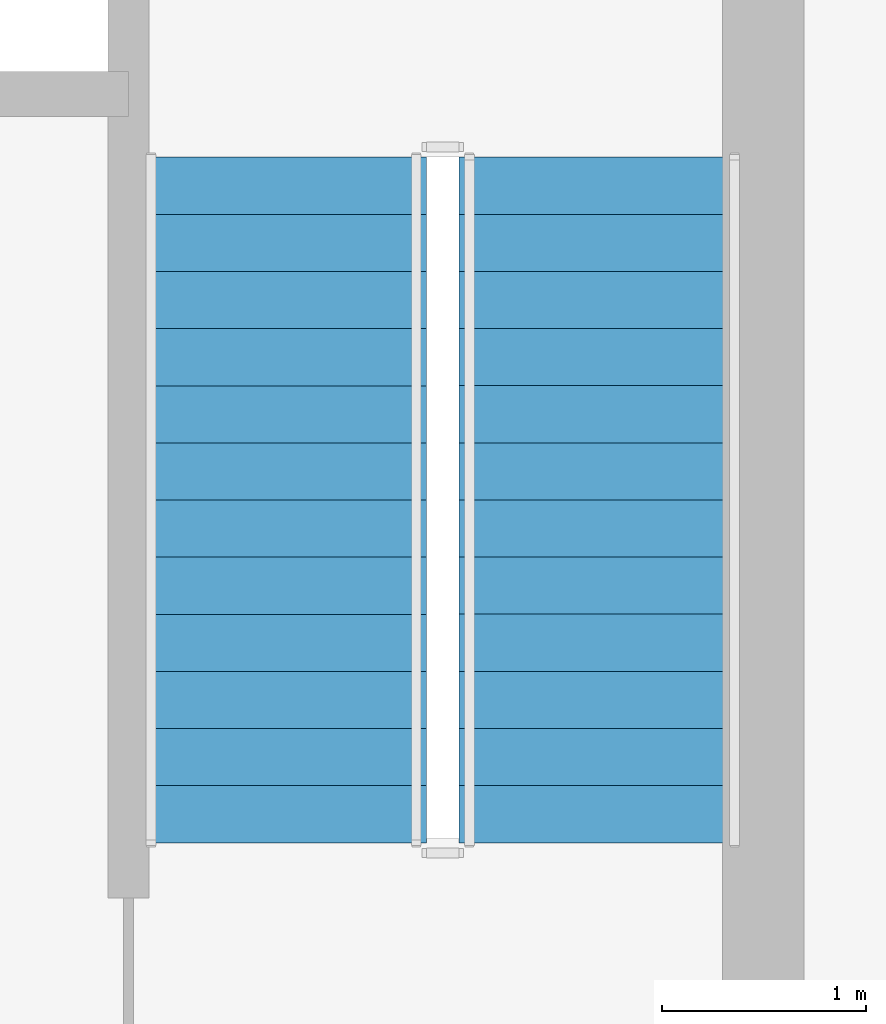
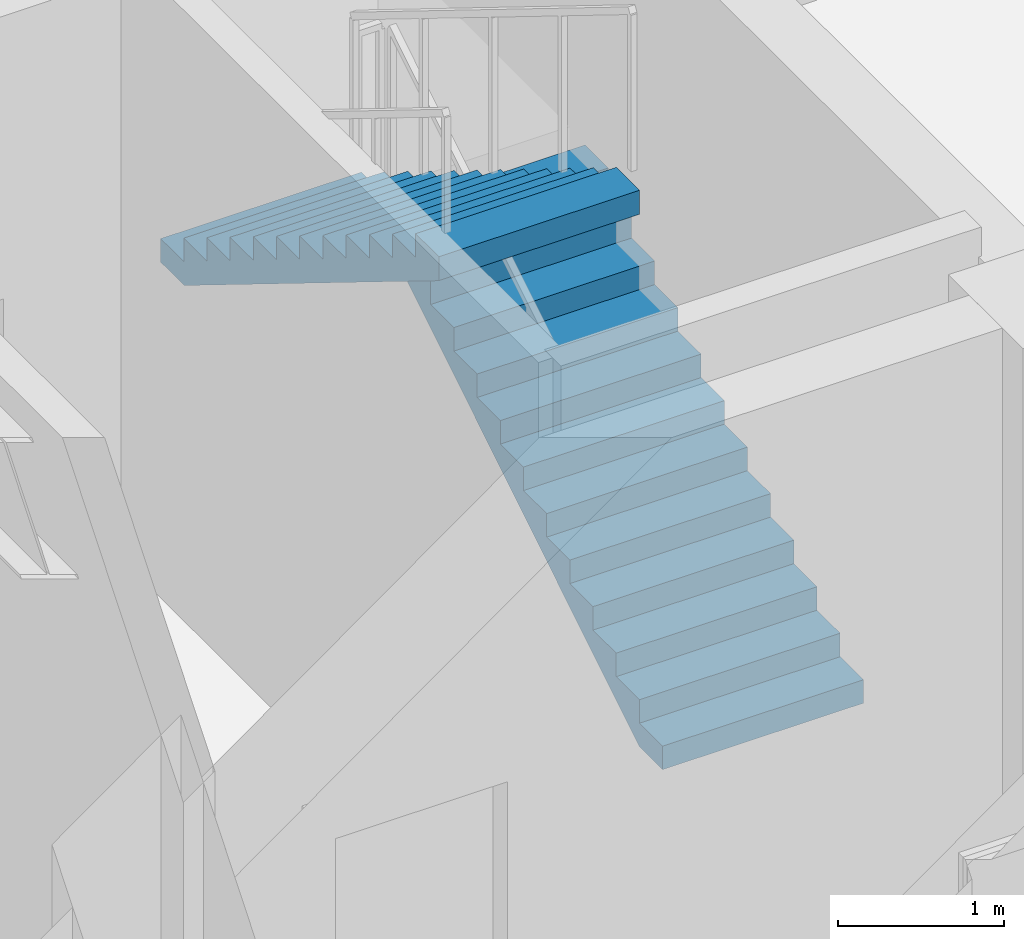
# One storey, part 5 of 8: 2 stair flights, 1 element without a shape of its own.
"""IFC4 building model written with IfcOpenShell, lengths in metres."""

from ifc_helpers import new_model, si_unit, direction, frame, origin, place, context, subcontext, project, spatial, polyline, outline, extrude, material, type_object, element, aggregate, save


model = new_model("IFC4")

# Units and contexts
model_context = context("Model", 3, precision=1e-05, world=origin(), true_north=direction((0.0, 1.0)))
body_context = subcontext(model_context, "Body", "Model", "MODEL_VIEW")
ifc_project = project(units=[si_unit("LENGTHUNIT", "METRE"), si_unit("AREAUNIT", "SQUARE_METRE"), si_unit("VOLUMEUNIT", "CUBIC_METRE"), si_unit("PLANEANGLEUNIT", "RADIAN"), si_unit("MASSUNIT", "GRAM", prefix="KILO")], contexts=[model_context])

# Site, building, storey
site_placement = place(None, origin())
site = spatial("IfcSite", under=ifc_project, at=site_placement, CompositionType="ELEMENT")
building_placement = place(site_placement, origin())
building = spatial("IfcBuilding", under=site, at=building_placement, Name="Giltprow Tower", CompositionType="ELEMENT")
storey_placement = place(building_placement, frame((0.0, 0.0, 285.89990234375)))
storey = spatial("IfcBuildingStorey", under=building, at=storey_placement, Name="L73", CompositionType="ELEMENT", Elevation=285.89990234375)

# Stair, stair flights
ifc_material = material(Name="Concrete C40", Category="concrete")
stair_type = type_object("IfcStairType", Name="STR-ST-3", PredefinedType="HALF_TURN_STAIR", material=ifc_material)
stair_placement = place(storey_placement, origin())
stair = element("IfcStair", 1, at=stair_placement, inside=storey, type_object=stair_type, Name="L73 Core Exit Stair ST-3", PredefinedType="HALF_TURN_STAIR")
stair_flight_type = type_object("IfcStairFlightType", Name="SFL-ST-3", PredefinedType="STRAIGHT", material=ifc_material)
stair_flight_1_placement = place(storey_placement, frame((49.760009765625, 39.550048828125, 0.0), z_axis=(0.0, 0.0, 1.0), x_axis=(0.0, 1.0, 0.0)))
stair_flight_1 = element("IfcStairFlight", 2, at=stair_flight_1_placement, type_object=stair_flight_type, Name="ST-3 flight 1", NumberOfRisers=13, NumberOfTreads=12, PredefinedType="STRAIGHT", RiserHeight=0.173076923, TreadLength=0.28, context=body_context, shape_type="SweptSolid", body=[
    extrude(outline(polyline([(0.0, 0.0), (0.0, 0.173095703125), (0.280029296875, 0.173095703125), (0.280029296875, 0.34619140625), (0.56005859375, 0.34619140625), (0.56005859375, 0.519287109375), (0.840087890625, 0.519287109375), (0.840087890625, 0.6923828125), (1.1201171875, 0.6923828125), (1.1201171875, 0.865478515625), (1.39990234375, 0.865478515625), (1.39990234375, 1.03857421875), (1.679931640625, 1.03857421875), (1.679931640625, 1.21142578125), (1.9599609375, 1.21142578125), (1.9599609375, 1.384521484375), (2.239990234375, 1.384521484375), (2.239990234375, 1.5576171875), (2.52001953125, 1.5576171875), (2.52001953125, 1.730712890625), (2.800048828125, 1.730712890625), (2.800048828125, 1.90380859375), (3.080078125, 1.90380859375), (3.080078125, 2.076904296875), (3.360107421875, 2.076904296875), (3.360107421875, 2.25), (3.360107421875, 1.900634765625), (0.28515625, 0.0), (0.0, 0.0)])), frame((0.0, 0.699951171875, 0.0), z_axis=(0.0, -1.0, 0.0), x_axis=(1.0, 0.0, 0.0)), (0.0, 0.0, 1.0), 1.39990234375),
])
stair_flight_2_placement = place(storey_placement, frame((48.199951171875, 42.909912109375, 2.25), z_axis=(0.0, 0.0, 1.0), x_axis=(0.0, -1.0, 0.0)))
stair_flight_2 = element("IfcStairFlight", 3, at=stair_flight_2_placement, type_object=stair_flight_type, Name="ST-3 flight 2", NumberOfRisers=13, NumberOfTreads=12, PredefinedType="STRAIGHT", RiserHeight=0.173076923, TreadLength=0.28, context=body_context, shape_type="SweptSolid", body=[
    extrude(outline(polyline([(0.0, 0.0), (0.0, 0.173095703125), (0.280029296875, 0.173095703125), (0.280029296875, 0.34619140625), (0.56005859375, 0.34619140625), (0.56005859375, 0.519287109375), (0.840087890625, 0.519287109375), (0.840087890625, 0.6923828125), (1.1201171875, 0.6923828125), (1.1201171875, 0.865478515625), (1.39990234375, 0.865478515625), (1.39990234375, 1.03857421875), (1.679931640625, 1.03857421875), (1.679931640625, 1.21142578125), (1.9599609375, 1.21142578125), (1.9599609375, 1.384521484375), (2.239990234375, 1.384521484375), (2.239990234375, 1.5576171875), (2.52001953125, 1.5576171875), (2.52001953125, 1.730712890625), (2.800048828125, 1.730712890625), (2.800048828125, 1.90380859375), (3.080078125, 1.90380859375), (3.080078125, 2.076904296875), (3.360107421875, 2.076904296875), (3.360107421875, 2.25), (3.360107421875, 1.900634765625), (0.28515625, 0.0), (0.0, 0.0)])), frame((0.0, 0.699951171875, 0.0), z_axis=(0.0, -1.0, 0.0), x_axis=(1.0, 0.0, 0.0)), (0.0, 0.0, 1.0), 1.39990234375),
])
aggregate(stair, [stair_flight_1, stair_flight_2])

save(model, "model.ifc")
